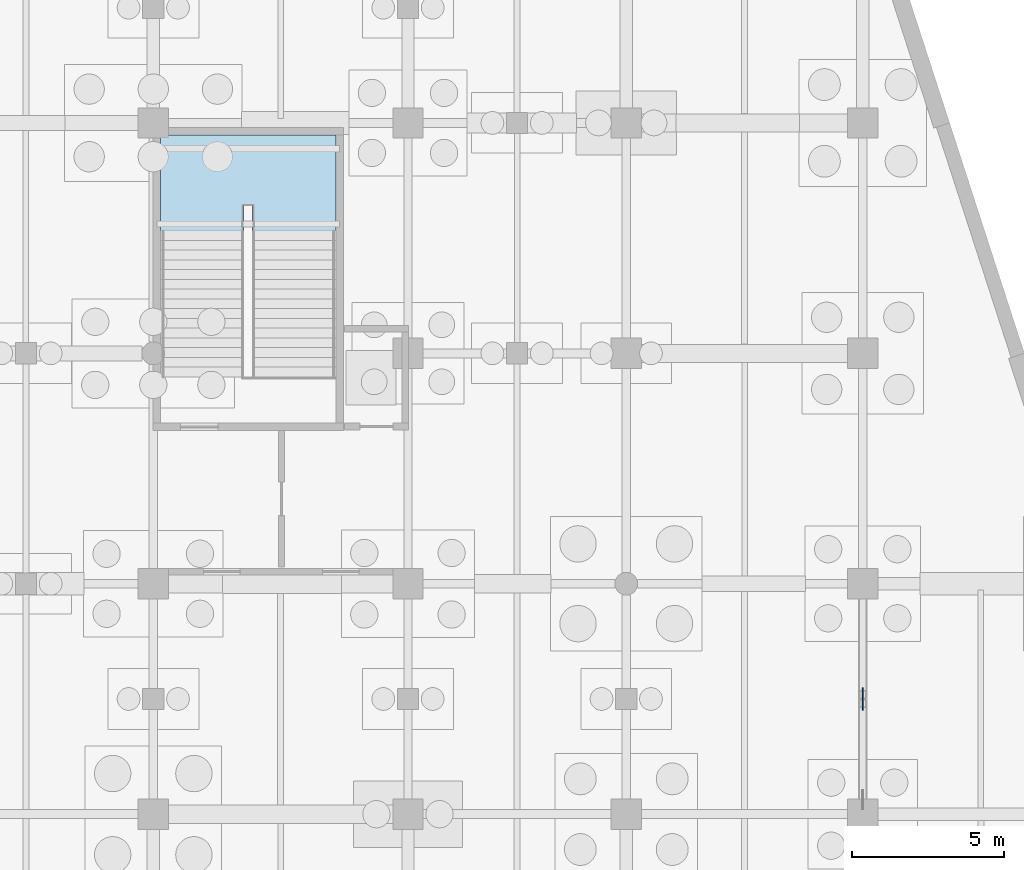
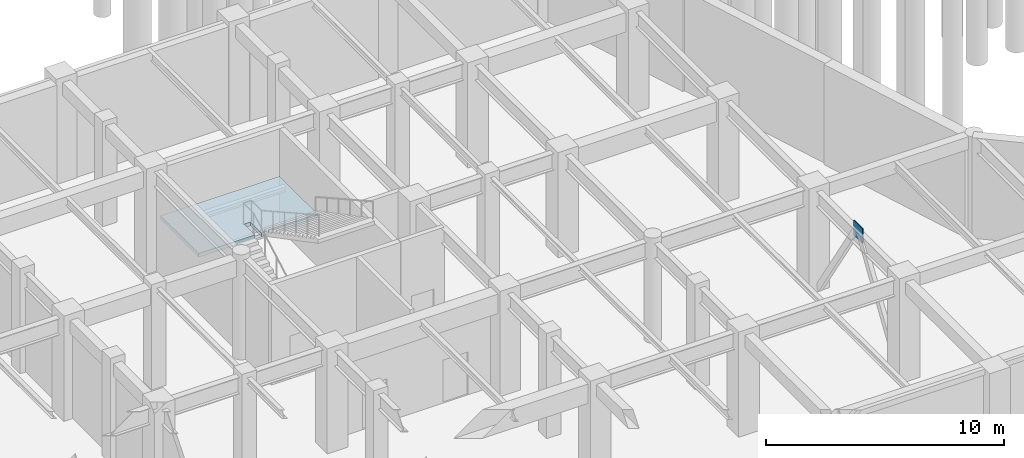
# One storey, part 33 of 52: 1 plate, 1 slab, 1 element without a shape of its own.
"""IFC4 building model written with IfcOpenShell, lengths in metres."""

from ifc_helpers import new_model, si_unit, direction, frame, origin, origin_2d, place, context, subcontext, project, spatial, polyline, rectangle, outline, extrude, material, layer, layer_set, type_object, element, aggregate, save


model = new_model("IFC4")

# Units and contexts
model_context = context("Model", 3, precision=1e-05, world=origin(), true_north=direction((0.0, 1.0)))
body_context = subcontext(model_context, "Body", "Model", "MODEL_VIEW")
ifc_project = project(units=[si_unit("LENGTHUNIT", "METRE"), si_unit("AREAUNIT", "SQUARE_METRE"), si_unit("VOLUMEUNIT", "CUBIC_METRE"), si_unit("PLANEANGLEUNIT", "RADIAN"), si_unit("MASSUNIT", "GRAM", prefix="KILO")], contexts=[model_context])

# Site, building, storey
site_placement = place(None, origin())
site = spatial("IfcSite", under=ifc_project, at=site_placement, CompositionType="ELEMENT")
building_placement = place(site_placement, origin())
building = spatial("IfcBuilding", under=site, at=building_placement, Name="Xicomal Pleat Aquarium", CompositionType="ELEMENT")
storey_placement = place(building_placement, frame((0.0, 0.0, -5.39990234375)))
storey = spatial("IfcBuildingStorey", under=building, at=storey_placement, Name="B1", CompositionType="ELEMENT", Elevation=-5.39990234375)

# Plate
ifc_material_1 = material(Name="Structural steel A992 Gr 50", Category="steel")
ifc_layer_1 = layer(ifc_material_1, 0.044921875)
ifc_layer_set_1 = layer_set([ifc_layer_1], Name="Structural steel A992 Gr 50")
plate_type = type_object("IfcPlateType", Name="PLT-GUS-45", PredefinedType="USERDEFINED", material=ifc_layer_set_1)
plate_placement = place(storey_placement, frame((126.0, 41.800048828125, 4.6748046875), z_axis=(0.0, 0.0, 1.0), x_axis=(0.0, 1.0, 0.0)))
element("IfcPlate", 1, at=plate_placement, inside=storey, type_object=plate_type, Name="B1 chevron gusset node plate 19", ObjectType="GUSSET PLATE", PredefinedType="USERDEFINED", context=body_context, shape_type="SweptSolid", body=[
    extrude(rectangle(XDim=0.75, YDim=0.044921875, at=origin_2d()), origin(), (0.0, 0.0, 1.0), 0.75),
])

# Stair, slab
ifc_material_2 = material(Name="Concrete C35/45", Category="concrete")
stair_type = type_object("IfcStairType", Name="STR-HT-5400-2400", PredefinedType="HALF_TURN_STAIR", material=ifc_material_2)
stair_placement = place(storey_placement, origin())
stair = element("IfcStair", 2, at=stair_placement, inside=storey, type_object=stair_type, Name="ST-07 fire exit stair B1 to L01", PredefinedType="HALF_TURN_STAIR")
ifc_material_3 = material(Name="Concrete C35/45", Category="concrete")
ifc_layer_2 = layer(ifc_material_3, 0.195068359375)
ifc_layer_set_2 = layer_set([ifc_layer_2], Name="Concrete C35/45")
slab_type = type_object("IfcSlabType", Name="SLB-LND-195", PredefinedType="LANDING", material=ifc_layer_set_2)
slab_placement = place(storey_placement, frame((0.0, 0.0, 2.5048828125)))
slab = element("IfcSlab", 3, at=slab_placement, type_object=slab_type, Name="ST-07 landing 1", PredefinedType="LANDING", context=body_context, shape_type="SweptSolid", body=[
    extrude(outline(polyline([(102.840087890625, 60.39990234375), (108.6201171875, 60.39990234375), (108.6201171875, 57.18994140625), (105.8798828125, 57.18994140625), (105.8798828125, 58.10009765625), (105.580078125, 58.10009765625), (105.580078125, 57.18994140625), (102.840087890625, 57.18994140625), (102.840087890625, 60.39990234375)])), origin(), (0.0, 0.0, 1.0), 0.195068359375),
])
aggregate(stair, [slab])

save(model, "model.ifc")
